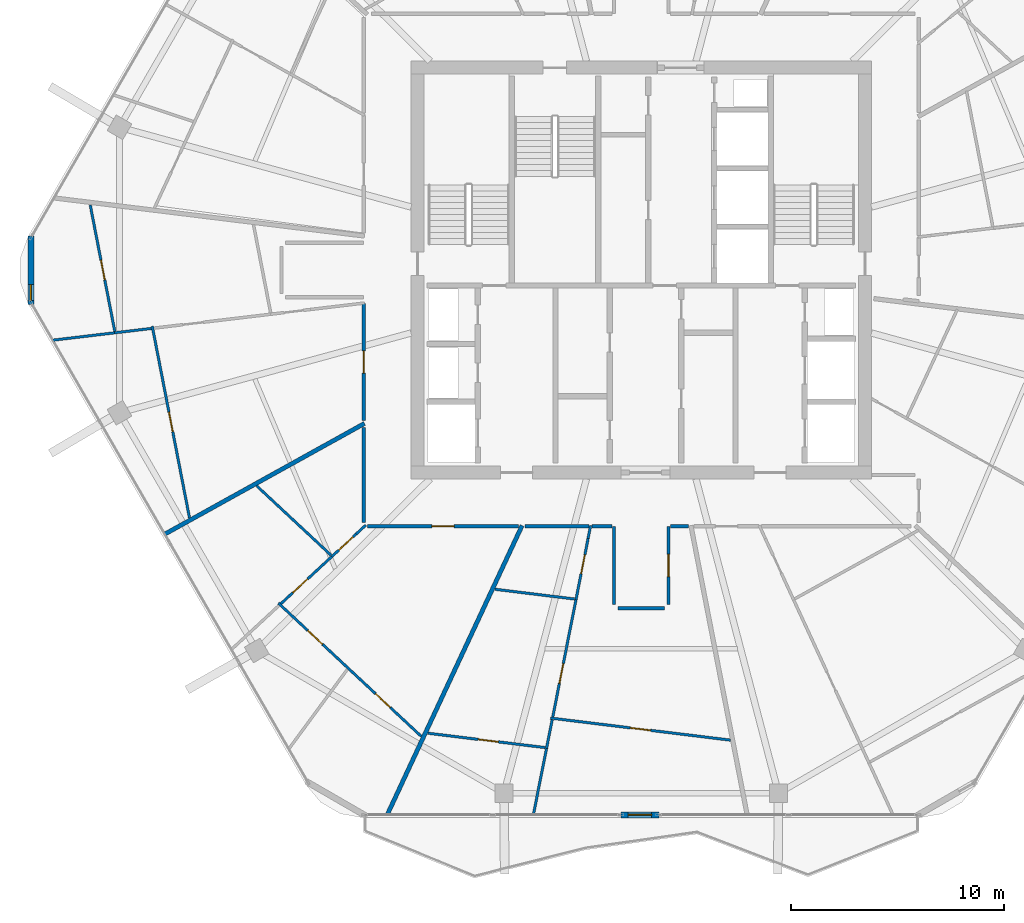
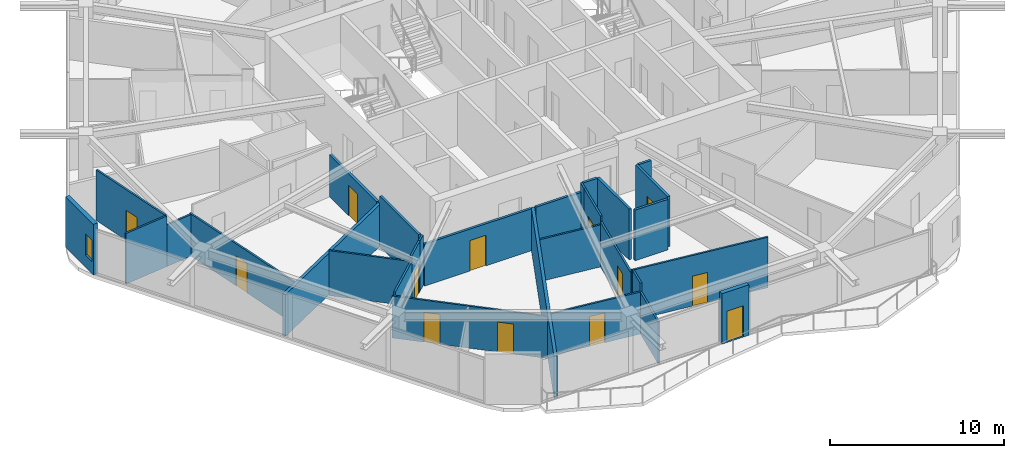
# One storey, part 19 of 27: 30 walls, 14 doors, 1 window, 15 openings.
"""IFC4 building model written with IfcOpenShell, lengths in metres."""

from ifc_helpers import new_model, si_unit, direction, frame, frame_2d, origin, place, context, subcontext, project, spatial, rectangle, extrude, material, layer, layer_set, type_object, element, fill, save


model = new_model("IFC4")

# Units and contexts
model_context = context("Model", 3, precision=1e-05, world=origin(), true_north=direction((0.0, 1.0)))
body_context = subcontext(model_context, "Body", "Model", "MODEL_VIEW")
ifc_project = project(units=[si_unit("LENGTHUNIT", "METRE"), si_unit("AREAUNIT", "SQUARE_METRE"), si_unit("VOLUMEUNIT", "CUBIC_METRE"), si_unit("PLANEANGLEUNIT", "RADIAN"), si_unit("MASSUNIT", "GRAM", prefix="KILO")], contexts=[model_context])

# Site, building, storey
site_placement = place(None, origin())
site = spatial("IfcSite", under=ifc_project, at=site_placement, CompositionType="ELEMENT")
building_placement = place(site_placement, origin())
building = spatial("IfcBuilding", under=site, at=building_placement, Name="Zuhravey Tower", CompositionType="ELEMENT")
storey_placement = place(building_placement, frame((0.0, 0.0, 265.39990234375)))
storey = spatial("IfcBuildingStorey", under=building, at=storey_placement, Name="L67", CompositionType="ELEMENT", Elevation=265.39990234375)

# Wall, opening, door
ifc_material_1 = material(Name="Gypsum fire-rated stud partition")
ifc_layer_1 = layer(ifc_material_1, 0.159912109375)
ifc_layer_set_1 = layer_set([ifc_layer_1], Name="Gypsum fire-rated stud partition")
wall_type_1 = type_object("IfcWallType", Name="Corridor Fire Partition 160", PredefinedType="PARTITIONING", material=ifc_layer_set_1)
wall_1_placement = place(storey_placement, frame((22.969970703125, 30.426025390625, 0.0), z_axis=(0.0, 0.0, 1.0), x_axis=(0.0, -1.0, 0.0)))
wall_1 = element("IfcWall", 1, at=wall_1_placement, inside=storey, type_object=wall_type_1, Name="L67 IW16 Partition 031", PredefinedType="PARTITIONING", context=body_context, shape_type="SweptSolid", body=[
    extrude(rectangle(XDim=5.47802734375, YDim=0.159912109375, at=frame_2d((2.739013671875, 0.0))), origin(), (0.0, 0.0, 1.0), 2.9501953125),
])
opening_1_placement = place(wall_1_placement, frame((2.214111328125, 0.0, 0.0)))
opening_1 = element("IfcOpeningElement", 2, at=opening_1_placement, cuts=wall_1, Name="Opening APD1", PredefinedType="OPENING", context=body_context, shape_type="SweptSolid", body=[
    extrude(rectangle(XDim=1.050048828125, YDim=2.14990234375, at=frame_2d((0.52490234375, 1.074951171875))), frame((0.0, 0.092041015625, 0.0), z_axis=(0.0, -1.0, 0.0), x_axis=(1.0, 0.0, 0.0)), (0.0, 0.0, 1.0), 0.183837890625),
])
ifc_material_2 = material(Name="Solid-core oak fire-rated leaf")
door_type_1 = type_object("IfcDoorType", Name="Apartment Entrance Fire Door 1050x2150", OperationType="NOTDEFINED", PredefinedType="DOOR", material=ifc_material_2)
door_1_placement = place(opening_1_placement, frame((1.050048828125, 0.0, 0.0), z_axis=(0.0, 0.0, 1.0), x_axis=(-1.0, 0.0, 0.0)))
door_1 = element("IfcDoor", 3, at=door_1_placement, inside=storey, type_object=door_type_1, Name="L67 Door 031.1", OperationType="SINGLE_SWING_LEFT", OverallHeight=2.14990234375, OverallWidth=1.050048828125, PredefinedType="DOOR", context=body_context, shape_type="SweptSolid", body=[
    extrude(rectangle(XDim=1.050048828125, YDim=2.14990234375, at=frame_2d((0.52490234375, 1.074951171875))), frame((0.0, 0.02490234375, 0.0), z_axis=(0.0, -1.0, 0.0), x_axis=(1.0, 0.0, 0.0)), (0.0, 0.0, 1.0), 0.050048828125),
])
fill(opening_1, door_1)

wall_2_placement = place(storey_placement, frame((23.14990234375, 19.969970703125, 0.0), z_axis=(0.0, 0.0, 1.0), x_axis=(1.0, 0.0, 0.0)))
wall_2 = element("IfcWall", 4, at=wall_2_placement, inside=storey, type_object=wall_type_1, Name="L67 IW16 Partition 036", PredefinedType="PARTITIONING", context=body_context, shape_type="SweptSolid", body=[
    extrude(rectangle(XDim=7.08984375, YDim=0.159912109375, at=frame_2d((3.544921875, 0.0))), origin(), (0.0, 0.0, 1.0), 2.9501953125),
])
opening_2_placement = place(wall_2_placement, frame((3.02001953125, 0.0, 0.0)))
opening_2 = element("IfcOpeningElement", 5, at=opening_2_placement, cuts=wall_2, Name="Opening APD1", PredefinedType="OPENING", context=body_context, shape_type="SweptSolid", body=[
    extrude(rectangle(XDim=1.050048828125, YDim=2.14990234375, at=frame_2d((0.52490234375, 1.074951171875))), frame((0.0, 0.092041015625, 0.0), z_axis=(0.0, -1.0, 0.0), x_axis=(1.0, 0.0, 0.0)), (0.0, 0.0, 1.0), 0.183837890625),
])
door_2_placement = place(opening_2_placement, frame((1.050048828125, 0.0, 0.0), z_axis=(0.0, 0.0, 1.0), x_axis=(-1.0, 0.0, 0.0)))
door_2 = element("IfcDoor", 6, at=door_2_placement, inside=storey, type_object=door_type_1, Name="L67 Door 036.1", OperationType="SINGLE_SWING_RIGHT", OverallHeight=2.14990234375, OverallWidth=1.050048828125, PredefinedType="DOOR", context=body_context, shape_type="SweptSolid", body=[
    extrude(rectangle(XDim=1.050048828125, YDim=2.14990234375, at=frame_2d((0.52490234375, 1.074951171875))), frame((0.0, 0.02490234375, 0.0), z_axis=(0.0, -1.0, 0.0), x_axis=(1.0, 0.0, 0.0)), (0.0, 0.0, 1.0), 0.050048828125),
])
fill(opening_2, door_2)

wall_3_placement = place(storey_placement, frame((37.280029296875, 16.300048828125, 0.0), z_axis=(0.0, 0.0, 1.0), x_axis=(0.0, 1.0, 0.0)))
wall_3 = element("IfcWall", 7, at=wall_3_placement, inside=storey, type_object=wall_type_1, Name="L67 IW16 Partition 042", PredefinedType="PARTITIONING", context=body_context, shape_type="SweptSolid", body=[
    extrude(rectangle(XDim=3.669921875, YDim=0.159912109375, at=frame_2d((1.8349609375, 0.0))), origin(), (0.0, 0.0, 1.0), 3.550048828125),
])
opening_3_placement = place(wall_3_placement, frame((1.31005859375, 0.0, 0.0)))
opening_3 = element("IfcOpeningElement", 8, at=opening_3_placement, cuts=wall_3, Name="Opening APD1", PredefinedType="OPENING", context=body_context, shape_type="SweptSolid", body=[
    extrude(rectangle(XDim=1.050048828125, YDim=2.14990234375, at=frame_2d((0.52490234375, 1.074951171875))), frame((0.0, 0.092041015625, 0.0), z_axis=(0.0, -1.0, 0.0), x_axis=(1.0, 0.0, 0.0)), (0.0, 0.0, 1.0), 0.183837890625),
])
door_3_placement = place(opening_3_placement, origin())
door_3 = element("IfcDoor", 9, at=door_3_placement, inside=storey, type_object=door_type_1, Name="L67 Door 042.1", OperationType="SINGLE_SWING_LEFT", OverallHeight=2.14990234375, OverallWidth=1.050048828125, PredefinedType="DOOR", context=body_context, shape_type="SweptSolid", body=[
    extrude(rectangle(XDim=1.050048828125, YDim=2.14990234375, at=frame_2d((0.52490234375, 1.074951171875))), frame((0.0, 0.02490234375, 0.0), z_axis=(0.0, -1.0, 0.0), x_axis=(1.0, 0.0, 0.0)), (0.0, 0.0, 1.0), 0.050048828125),
])
fill(opening_3, door_3)

# Walls
wall_4_placement = place(storey_placement, frame((22.969970703125, 24.60498046875, 0.0), z_axis=(0.0, 0.0, 1.0), x_axis=(0.0, -1.0, 0.0)))
element("IfcWall", 10, at=wall_4_placement, inside=storey, type_object=wall_type_1, Name="L67 IW16 Partition 117", PredefinedType="PARTITIONING", context=body_context, shape_type="SweptSolid", body=[
    extrude(rectangle(XDim=4.455078125, YDim=0.159912109375, at=frame_2d((2.2275390625, 0.0))), origin(), (0.0, 0.0, 1.0), 3.550048828125),
])
wall_5_placement = place(storey_placement, frame((34.719970703125, 19.969970703125, 0.0), z_axis=(0.0, 0.0, 1.0), x_axis=(0.0, -1.0, 0.0)))
element("IfcWall", 11, at=wall_5_placement, inside=storey, type_object=wall_type_1, Name="L67 IW16 Partition 118", PredefinedType="PARTITIONING", context=body_context, shape_type="SweptSolid", body=[
    extrude(rectangle(XDim=3.669921875, YDim=0.159912109375, at=frame_2d((1.8349609375, 0.0))), origin(), (0.0, 0.0, 1.0), 3.550048828125),
])
wall_6_placement = place(storey_placement, frame((34.89990234375, 16.1201171875, 0.0), z_axis=(0.0, 0.0, 1.0), x_axis=(1.0, 0.0, 0.0)))
element("IfcWall", 12, at=wall_6_placement, inside=storey, type_object=wall_type_1, Name="L67 IW16 Partition 119", PredefinedType="PARTITIONING", context=body_context, shape_type="SweptSolid", body=[
    extrude(rectangle(XDim=2.2001953125, YDim=0.159912109375, at=frame_2d((1.10009765625, 0.0))), origin(), (0.0, 0.0, 1.0), 3.550048828125),
])
wall_7_placement = place(storey_placement, frame((33.687255859375, 19.969970703125, 0.0), z_axis=(0.0, 0.0, 1.0), x_axis=(1.0, 0.0, 0.0)))
element("IfcWall", 13, at=wall_7_placement, inside=storey, type_object=wall_type_1, Name="L67 IW16 Partition 120", PredefinedType="PARTITIONING", context=body_context, shape_type="SweptSolid", body=[
    extrude(rectangle(XDim=0.94482421875, YDim=0.159912109375, at=frame_2d((0.472412109375, 0.0))), origin(), (0.0, 0.0, 1.0), 3.550048828125),
])
wall_8_placement = place(storey_placement, frame((37.367919921875, 19.969970703125, 0.0), z_axis=(0.0, 0.0, 1.0), x_axis=(1.0, 0.0, 0.0)))
element("IfcWall", 14, at=wall_8_placement, inside=storey, type_object=wall_type_1, Name="L67 IW16 Partition 121", PredefinedType="PARTITIONING", context=body_context, shape_type="SweptSolid", body=[
    extrude(rectangle(XDim=0.84130859375, YDim=0.159912109375, at=frame_2d((0.420654296875, 0.0))), origin(), (0.0, 0.0, 1.0), 3.550048828125),
])
wall_9_placement = place(storey_placement, frame((30.53955078125, 19.969970703125, 0.0), z_axis=(0.0, 0.0, 1.0), x_axis=(1.0, 0.0, 0.0)))
element("IfcWall", 15, at=wall_9_placement, inside=storey, type_object=wall_type_1, Name="L67 IW16 Partition 122", PredefinedType="PARTITIONING", context=body_context, shape_type="SweptSolid", body=[
    extrude(rectangle(XDim=3.009033203125, YDim=0.159912109375, at=frame_2d((1.50439453125, 0.0))), origin(), (0.0, 0.0, 1.0), 2.9501953125),
])

# Wall, opening, door
ifc_material_3 = material(Name="Precast concrete C40/50", Category="concrete")
ifc_layer_2 = layer(ifc_material_3, 0.280029296875)
ifc_layer_set_2 = layer_set([ifc_layer_2], Name="Precast concrete C40/50")
wall_type_2 = type_object("IfcWallType", Name="Crown Architectural Wall 280", PredefinedType="SOLIDWALL", material=ifc_layer_set_2)
wall_10_placement = place(storey_placement, frame((36.82861328125, 6.436279296875, 0.0), z_axis=(0.0, 0.0, 1.0), x_axis=(-1.0, 0.0, 0.0)))
wall_10 = element("IfcWall", 16, at=wall_10_placement, inside=storey, type_object=wall_type_2, Name="L67 Face 5 Facade Pier EW28-1", PredefinedType="SOLIDWALL", context=body_context, shape_type="SweptSolid", body=[
    extrude(rectangle(XDim=1.7900390625, YDim=0.280029296875, at=frame_2d((0.89501953125, 0.0))), origin(), (0.0, 0.0, 1.0), 3.550048828125),
])
opening_4_placement = place(wall_10_placement, frame((0.344970703125, 0.0, 0.0)))
opening_4 = element("IfcOpeningElement", 17, at=opening_4_placement, cuts=wall_10, Name="Opening BLD1", PredefinedType="OPENING", context=body_context, shape_type="SweptSolid", body=[
    extrude(rectangle(XDim=1.10009765625, YDim=2.199951171875, at=frame_2d((0.550048828125, 1.10009765625))), frame((0.0, 0.152099609375, 0.0), z_axis=(0.0, -1.0, 0.0), x_axis=(1.0, 0.0, 0.0)), (0.0, 0.0, 1.0), 0.303955078125),
])
ifc_material_4 = material(Name="Thermally broken aluminium and low-E glass", Category="aluminium")
door_type_2 = type_object("IfcDoorType", Name="Balcony & Sky-Tray Glazed Door 1100x2200", OperationType="NOTDEFINED", PredefinedType="DOOR", material=ifc_material_4)
door_4_placement = place(opening_4_placement, frame((1.10009765625, 0.0, 0.0), z_axis=(0.0, 0.0, 1.0), x_axis=(-1.0, 0.0, 0.0)))
door_4 = element("IfcDoor", 18, at=door_4_placement, inside=storey, type_object=door_type_2, Name="L67 Face 5 Wave Balcony Door", OperationType="SINGLE_SWING_LEFT", OverallHeight=2.199951171875, OverallWidth=1.10009765625, PredefinedType="DOOR", context=body_context, shape_type="SweptSolid", body=[
    extrude(rectangle(XDim=1.10009765625, YDim=2.199951171875, at=frame_2d((0.550048828125, 1.10009765625))), frame((0.0, 0.02490234375, 0.0), z_axis=(0.0, -1.0, 0.0), x_axis=(1.0, 0.0, 0.0)), (0.0, 0.0, 1.0), 0.050048828125),
])
fill(opening_4, door_4)

# Wall, opening, window
wall_11_placement = place(storey_placement, frame((7.35498046875, 30.392578125, 0.0), z_axis=(0.0, 0.0, 1.0), x_axis=(0.0, 1.0, 0.0)))
wall_11 = element("IfcWall", 19, at=wall_11_placement, inside=storey, type_object=wall_type_2, Name="L67 Rounded Corner Closure Wall EW28-06", PredefinedType="SOLIDWALL", context=body_context, shape_type="SweptSolid", body=[
    extrude(rectangle(XDim=3.21484375, YDim=0.280029296875, at=frame_2d((1.607421875, 0.0))), origin(), (0.0, 0.0, 1.0), 3.550048828125),
])
opening_5_placement = place(wall_11_placement, frame((0.17578125, 0.0, 0.85009765625)))
opening_5 = element("IfcOpeningElement", 20, at=opening_5_placement, cuts=wall_11, Name="Opening WN5", PredefinedType="OPENING", context=body_context, shape_type="SweptSolid", body=[
    extrude(rectangle(XDim=0.75, YDim=1.5, at=frame_2d((0.375, 0.75))), frame((0.0, 0.152099609375, 0.0), z_axis=(0.0, -1.0, 0.0), x_axis=(1.0, 0.0, 0.0)), (0.0, 0.0, 1.0), 0.303955078125),
])
ifc_material_5 = material(Name="Thermally broken aluminium and triple low-E glass", Category="aluminium")
window_type = type_object("IfcWindowType", Name="Residential Corner Casement Window 750x1500", PartitioningType="SINGLE_PANEL", PredefinedType="WINDOW", material=ifc_material_5)
window_placement = place(opening_5_placement, origin())
window = element("IfcWindow", 21, at=window_placement, inside=storey, type_object=window_type, Name="L67 Corner Casement Window WN5-06.1", OverallHeight=1.5, OverallWidth=0.75, PartitioningType="SINGLE_PANEL", PredefinedType="WINDOW", context=body_context, shape_type="SweptSolid", body=[
    extrude(rectangle(XDim=0.75, YDim=1.5, at=frame_2d((0.375, 0.75))), frame((0.0, 0.030029296875, 0.0), z_axis=(0.0, -1.0, 0.0), x_axis=(1.0, 0.0, 0.0)), (0.0, 0.0, 1.0), 0.06005859375),
])
fill(opening_5, window)

# Walls
ifc_material_6 = material(Name="Gypsum double-stud party assembly")
ifc_layer_3 = layer(ifc_material_6, 0.199951171875)
ifc_layer_set_3 = layer_set([ifc_layer_3], Name="Gypsum double-stud party assembly")
wall_type_3 = type_object("IfcWallType", Name="Inter-Tenancy Party Wall 200", PredefinedType="PARTITIONING", material=ifc_layer_set_3)
wall_12_placement = place(storey_placement, frame((23.010009765625, 24.799560546875, 0.0), z_axis=(0.0, 0.0, 1.0), x_axis=(-0.874612572959, -0.484822490426, 0.0)))
element("IfcWall", 22, at=wall_12_placement, inside=storey, type_object=wall_type_3, Name="L67 IW20 Partition 082", PredefinedType="PARTITIONING", context=body_context, shape_type="SweptSolid", body=[
    extrude(rectangle(XDim=10.71533203125, YDim=0.199951171875, at=frame_2d((5.357666015625, 0.0))), origin(), (0.0, 0.0, 1.0), 2.93017578125),
])
wall_13_placement = place(storey_placement, frame((30.408935546875, 20.010009765625, 0.0), z_axis=(0.0, 0.0, 1.0), x_axis=(-0.422607909104, -0.906312614479, 0.0)))
element("IfcWall", 23, at=wall_13_placement, inside=storey, type_object=wall_type_3, Name="L67 IW20 Partition 086", PredefinedType="PARTITIONING", context=body_context, shape_type="SweptSolid", body=[
    extrude(rectangle(XDim=14.976806640625, YDim=0.199951171875, at=frame_2d((7.48828125, 0.0))), origin(), (0.0, 0.0, 1.0), 2.93017578125),
])

# Wall, opening, door
ifc_material_7 = material(Name="Gypsum metal-stud partition")
ifc_layer_4 = layer(ifc_material_7, 0.1201171875)
ifc_layer_set_4 = layer_set([ifc_layer_4], Name="Gypsum metal-stud partition")
wall_type_4 = type_object("IfcWallType", Name="Unit Internal Partition 120", PredefinedType="PARTITIONING", material=ifc_layer_set_4)
wall_14_placement = place(storey_placement, frame((13.052734375, 29.364501953125, 0.0), z_axis=(0.0, 0.0, 1.0), x_axis=(0.190811857209, -0.981626627159, 0.0)))
wall_14 = element("IfcWall", 24, at=wall_14_placement, inside=storey, type_object=wall_type_4, Name="L67 IW12 Partition 026", PredefinedType="PARTITIONING", context=body_context, shape_type="SweptSolid", body=[
    extrude(rectangle(XDim=9.1572265625, YDim=0.1201171875, at=frame_2d((4.57861328125, 0.0))), origin(), (0.0, 0.0, 1.0), 2.9501953125),
])
opening_6_placement = place(wall_14_placement, frame((4.103515625, 0.0, 0.0)))
opening_6 = element("IfcOpeningElement", 25, at=opening_6_placement, cuts=wall_14, Name="Opening IND1", PredefinedType="OPENING", context=body_context, shape_type="SweptSolid", body=[
    extrude(rectangle(XDim=0.949951171875, YDim=2.10009765625, at=frame_2d((0.47509765625, 1.050048828125))), frame((0.0, 0.072021484375, 0.0), z_axis=(0.0, -1.0, 0.0), x_axis=(1.0, 0.0, 0.0)), (0.0, 0.0, 1.0), 0.14404296875),
])
ifc_material_8 = material(Name="Painted engineered timber leaf", Category="wood")
door_type_3 = type_object("IfcDoorType", Name="Internal Room & Bedroom Door 950x2100", OperationType="NOTDEFINED", PredefinedType="DOOR", material=ifc_material_8)
door_5_placement = place(opening_6_placement, frame((0.949951171875, 0.0, 0.0), z_axis=(0.0, 0.0, 1.0), x_axis=(-1.0, 0.0, 0.0)))
door_5 = element("IfcDoor", 26, at=door_5_placement, inside=storey, type_object=door_type_3, Name="Apartment L67-02 Family Study Door", OperationType="SINGLE_SWING_LEFT", OverallHeight=2.10009765625, OverallWidth=0.949951171875, PredefinedType="DOOR", context=body_context, shape_type="SweptSolid", body=[
    extrude(rectangle(XDim=0.949951171875, YDim=2.10009765625, at=frame_2d((0.47509765625, 1.050048828125))), frame((0.0, 0.02490234375, 0.0), z_axis=(0.0, -1.0, 0.0), x_axis=(1.0, 0.0, 0.0)), (0.0, 0.0, 1.0), 0.050048828125),
])
fill(opening_6, door_5)

# Wall
wall_15_placement = place(storey_placement, frame((13.004150390625, 29.2578125, 0.0), z_axis=(0.0, 0.0, 1.0), x_axis=(-0.992978430898, -0.118295544172, 0.0)))
element("IfcWall", 27, at=wall_15_placement, inside=storey, type_object=wall_type_4, Name="L67 IW12 Partition 029", PredefinedType="PARTITIONING", context=body_context, shape_type="SweptSolid", body=[
    extrude(rectangle(XDim=1.733642578125, YDim=0.1201171875, at=frame_2d((0.86669921875, 0.0))), origin(), (0.0, 0.0, 1.0), 2.93017578125),
])

# Wall, opening, door
wall_16_placement = place(storey_placement, frame((10.143310546875, 35.046630859375, 0.0), z_axis=(0.0, 0.0, 1.0), x_axis=(0.190784117101, -0.981632018967, 0.0)))
wall_16 = element("IfcWall", 28, at=wall_16_placement, inside=storey, type_object=wall_type_4, Name="L67 IW12 Partition 030", PredefinedType="PARTITIONING", context=body_context, shape_type="SweptSolid", body=[
    extrude(rectangle(XDim=6.034912109375, YDim=0.1201171875, at=frame_2d((3.017578125, 0.0))), origin(), (0.0, 0.0, 1.0), 3.550048828125),
])
opening_7_placement = place(wall_16_placement, frame((2.626708984375, 0.0, 0.0)))
opening_7 = element("IfcOpeningElement", 29, at=opening_7_placement, cuts=wall_16, Name="Opening IND1", PredefinedType="OPENING", context=body_context, shape_type="SweptSolid", body=[
    extrude(rectangle(XDim=0.949951171875, YDim=2.10009765625, at=frame_2d((0.47509765625, 1.050048828125))), frame((0.0, 0.072021484375, 0.0), z_axis=(0.0, -1.0, 0.0), x_axis=(1.0, 0.0, 0.0)), (0.0, 0.0, 1.0), 0.14404296875),
])
door_6_placement = place(opening_7_placement, frame((0.949951171875, 0.0, 0.0), z_axis=(0.0, 0.0, 1.0), x_axis=(-1.0, 0.0, 0.0)))
door_6 = element("IfcDoor", 30, at=door_6_placement, inside=storey, type_object=door_type_3, Name="Apartment L67-02 Bedroom 1 Door", OperationType="SINGLE_SWING_RIGHT", OverallHeight=2.10009765625, OverallWidth=0.949951171875, PredefinedType="DOOR", context=body_context, shape_type="SweptSolid", body=[
    extrude(rectangle(XDim=0.949951171875, YDim=2.10009765625, at=frame_2d((0.47509765625, 1.050048828125))), frame((0.0, 0.02490234375, 0.0), z_axis=(0.0, -1.0, 0.0), x_axis=(1.0, 0.0, 0.0)), (0.0, 0.0, 1.0), 0.050048828125),
])
fill(opening_7, door_6)

# Wall, openings, doors
wall_17_placement = place(storey_placement, frame((18.97216796875, 16.368408203125, 0.0), z_axis=(0.0, 0.0, 1.0), x_axis=(0.731359968951, -0.68199163911, 0.0)))
wall_17 = element("IfcWall", 31, at=wall_17_placement, inside=storey, type_object=wall_type_4, Name="L67 IW12 Partition 032", PredefinedType="PARTITIONING", context=body_context, shape_type="SweptSolid", body=[
    extrude(rectangle(XDim=9.16357421875, YDim=0.1201171875, at=frame_2d((4.581787109375, 0.0))), origin(), (0.0, 0.0, 1.0), 2.9501953125),
])
opening_8_placement = place(wall_17_placement, frame((1.885498046875, 0.0, 0.0)))
opening_8 = element("IfcOpeningElement", 32, at=opening_8_placement, cuts=wall_17, Name="Opening IND1", PredefinedType="OPENING", context=body_context, shape_type="SweptSolid", body=[
    extrude(rectangle(XDim=0.949951171875, YDim=2.10009765625, at=frame_2d((0.47509765625, 1.050048828125))), frame((0.0, 0.072021484375, 0.0), z_axis=(0.0, -1.0, 0.0), x_axis=(1.0, 0.0, 0.0)), (0.0, 0.0, 1.0), 0.14404296875),
])
opening_9_placement = place(wall_17_placement, frame((6.2265625, 0.0, 0.0)))
opening_9 = element("IfcOpeningElement", 33, at=opening_9_placement, cuts=wall_17, Name="Opening IND1", PredefinedType="OPENING", context=body_context, shape_type="SweptSolid", body=[
    extrude(rectangle(XDim=0.949951171875, YDim=2.10009765625, at=frame_2d((0.47509765625, 1.050048828125))), frame((0.0, 0.072021484375, 0.0), z_axis=(0.0, -1.0, 0.0), x_axis=(1.0, 0.0, 0.0)), (0.0, 0.0, 1.0), 0.14404296875),
])
door_7_placement = place(opening_8_placement, frame((0.949951171875, 0.0, 0.0), z_axis=(0.0, 0.0, 1.0), x_axis=(-1.0, 0.0, 0.0)))
door_7 = element("IfcDoor", 34, at=door_7_placement, inside=storey, type_object=door_type_3, Name="Apartment L67-03 Family Study Door", OperationType="SINGLE_SWING_RIGHT", OverallHeight=2.10009765625, OverallWidth=0.949951171875, PredefinedType="DOOR", context=body_context, shape_type="SweptSolid", body=[
    extrude(rectangle(XDim=0.949951171875, YDim=2.10009765625, at=frame_2d((0.47509765625, 1.050048828125))), frame((0.0, 0.02490234375, 0.0), z_axis=(0.0, -1.0, 0.0), x_axis=(1.0, 0.0, 0.0)), (0.0, 0.0, 1.0), 0.050048828125),
])
fill(opening_8, door_7)
door_8_placement = place(opening_9_placement, frame((0.949951171875, 0.0, 0.0), z_axis=(0.0, 0.0, 1.0), x_axis=(-1.0, 0.0, 0.0)))
door_8 = element("IfcDoor", 35, at=door_8_placement, inside=storey, type_object=door_type_3, Name="Apartment L67-03 Dining Room Door", OperationType="SINGLE_SWING_LEFT", OverallHeight=2.10009765625, OverallWidth=0.949951171875, PredefinedType="DOOR", context=body_context, shape_type="SweptSolid", body=[
    extrude(rectangle(XDim=0.949951171875, YDim=2.10009765625, at=frame_2d((0.47509765625, 1.050048828125))), frame((0.0, 0.02490234375, 0.0), z_axis=(0.0, -1.0, 0.0), x_axis=(1.0, 0.0, 0.0)), (0.0, 0.0, 1.0), 0.050048828125),
])
fill(opening_9, door_8)

# Wall, opening, door
wall_18_placement = place(storey_placement, frame((22.625, 19.61474609375, 0.0), z_axis=(0.0, 0.0, 1.0), x_axis=(-0.733731867306, -0.679439141424, 0.0)))
wall_18 = element("IfcWall", 36, at=wall_18_placement, inside=storey, type_object=wall_type_4, Name="L67 IW12 Partition 033", PredefinedType="PARTITIONING", context=body_context, shape_type="SweptSolid", body=[
    extrude(rectangle(XDim=1.56494140625, YDim=0.1201171875, at=frame_2d((0.782470703125, 0.0))), origin(), (0.0, 0.0, 1.0), 3.550048828125),
])
opening_10_placement = place(wall_18_placement, frame((0.207275390625, 0.0, 0.0)))
opening_10 = element("IfcOpeningElement", 37, at=opening_10_placement, cuts=wall_18, Name="Opening WCD1", PredefinedType="OPENING", context=body_context, shape_type="SweptSolid", body=[
    extrude(rectangle(XDim=0.89990234375, YDim=2.10009765625, at=frame_2d((0.449951171875, 1.050048828125))), frame((0.0, 0.072021484375, 0.0), z_axis=(0.0, -1.0, 0.0), x_axis=(1.0, 0.0, 0.0)), (0.0, 0.0, 1.0), 0.14404296875),
])
ifc_material_9 = material(Name="Moisture-resistant timber leaf", Category="wood")
door_type_4 = type_object("IfcDoorType", Name="Bathroom & WC Internal Door 900x2100", OperationType="NOTDEFINED", PredefinedType="DOOR", material=ifc_material_9)
door_9_placement = place(opening_10_placement, frame((0.89990234375, 0.0, 0.0), z_axis=(0.0, 0.0, 1.0), x_axis=(-1.0, 0.0, 0.0)))
door_9 = element("IfcDoor", 38, at=door_9_placement, inside=storey, type_object=door_type_4, Name="Apartment L67-03 Bathroom Door", OperationType="SINGLE_SWING_RIGHT", OverallHeight=2.10009765625, OverallWidth=0.89990234375, PredefinedType="DOOR", context=body_context, shape_type="SweptSolid", body=[
    extrude(rectangle(XDim=0.89990234375, YDim=2.10009765625, at=frame_2d((0.449951171875, 1.050048828125))), frame((0.0, 0.02490234375, 0.0), z_axis=(0.0, -1.0, 0.0), x_axis=(1.0, 0.0, 0.0)), (0.0, 0.0, 1.0), 0.050048828125),
])
fill(opening_10, door_9)

wall_19_placement = place(storey_placement, frame((21.476806640625, 18.551513671875, 0.0), z_axis=(0.0, 0.0, 1.0), x_axis=(-0.733668997341, -0.679507028912, 0.0)))
wall_19 = element("IfcWall", 39, at=wall_19_placement, inside=storey, type_object=wall_type_4, Name="L67 IW12 Partition 034", PredefinedType="PARTITIONING", context=body_context, shape_type="SweptSolid", body=[
    extrude(rectangle(XDim=3.245361328125, YDim=0.1201171875, at=frame_2d((1.62255859375, 0.0))), origin(), (0.0, 0.0, 1.0), 3.150146484375),
])
opening_11_placement = place(wall_19_placement, frame((1.54736328125, 0.0, 0.0)))
opening_11 = element("IfcOpeningElement", 40, at=opening_11_placement, cuts=wall_19, Name="Opening IND1", PredefinedType="OPENING", context=body_context, shape_type="SweptSolid", body=[
    extrude(rectangle(XDim=0.949951171875, YDim=2.10009765625, at=frame_2d((0.47509765625, 1.050048828125))), frame((0.0, 0.072021484375, 0.0), z_axis=(0.0, -1.0, 0.0), x_axis=(1.0, 0.0, 0.0)), (0.0, 0.0, 1.0), 0.14404296875),
])
door_10_placement = place(opening_11_placement, frame((0.949951171875, 0.0, 0.0), z_axis=(0.0, 0.0, 1.0), x_axis=(-1.0, 0.0, 0.0)))
door_10 = element("IfcDoor", 41, at=door_10_placement, inside=storey, type_object=door_type_3, Name="Apartment L67-03 Bedroom 1 Door", OperationType="SINGLE_SWING_LEFT", OverallHeight=2.10009765625, OverallWidth=0.949951171875, PredefinedType="DOOR", context=body_context, shape_type="SweptSolid", body=[
    extrude(rectangle(XDim=0.949951171875, YDim=2.10009765625, at=frame_2d((0.47509765625, 1.050048828125))), frame((0.0, 0.02490234375, 0.0), z_axis=(0.0, -1.0, 0.0), x_axis=(1.0, 0.0, 0.0)), (0.0, 0.0, 1.0), 0.050048828125),
])
fill(opening_11, door_10)

wall_20_placement = place(storey_placement, frame((31.735107421875, 10.97607421875, 0.0), z_axis=(0.0, 0.0, 1.0), x_axis=(0.992544489296, -0.121882881359, 0.0)))
wall_20 = element("IfcWall", 42, at=wall_20_placement, inside=storey, type_object=wall_type_4, Name="L67 IW12 Partition 037", PredefinedType="PARTITIONING", context=body_context, shape_type="SweptSolid", body=[
    extrude(rectangle(XDim=8.51904296875, YDim=0.1201171875, at=frame_2d((4.259521484375, 0.0))), origin(), (0.0, 0.0, 1.0), 3.550048828125),
])
opening_12_placement = place(wall_20_placement, frame((3.784423828125, 0.0, 0.0)))
opening_12 = element("IfcOpeningElement", 43, at=opening_12_placement, cuts=wall_20, Name="Opening IND1", PredefinedType="OPENING", context=body_context, shape_type="SweptSolid", body=[
    extrude(rectangle(XDim=0.949951171875, YDim=2.10009765625, at=frame_2d((0.47509765625, 1.050048828125))), frame((0.0, 0.072021484375, 0.0), z_axis=(0.0, -1.0, 0.0), x_axis=(1.0, 0.0, 0.0)), (0.0, 0.0, 1.0), 0.14404296875),
])
door_11_placement = place(opening_12_placement, frame((0.949951171875, 0.0, 0.0), z_axis=(0.0, 0.0, 1.0), x_axis=(-1.0, 0.0, 0.0)))
door_11 = element("IfcDoor", 44, at=door_11_placement, inside=storey, type_object=door_type_3, Name="Apartment L67-04 Family Study Door", OperationType="SINGLE_SWING_LEFT", OverallHeight=2.10009765625, OverallWidth=0.949951171875, PredefinedType="DOOR", context=body_context, shape_type="SweptSolid", body=[
    extrude(rectangle(XDim=0.949951171875, YDim=2.10009765625, at=frame_2d((0.47509765625, 1.050048828125))), frame((0.0, 0.02490234375, 0.0), z_axis=(0.0, -1.0, 0.0), x_axis=(1.0, 0.0, 0.0)), (0.0, 0.0, 1.0), 0.050048828125),
])
fill(opening_12, door_11)

wall_21_placement = place(storey_placement, frame((33.505126953125, 19.39990234375, 0.0), z_axis=(0.0, 0.0, 1.0), x_axis=(-0.194223379767, -0.980957327692, 0.0)))
wall_21 = element("IfcWall", 45, at=wall_21_placement, inside=storey, type_object=wall_type_4, Name="L67 IW12 Partition 038", PredefinedType="PARTITIONING", context=body_context, shape_type="SweptSolid", body=[
    extrude(rectangle(XDim=2.927490234375, YDim=0.1201171875, at=frame_2d((1.4638671875, 0.0))), origin(), (0.0, 0.0, 1.0), 3.550048828125),
])
opening_13_placement = place(wall_21_placement, frame((0.77978515625, 0.0, 0.0)))
opening_13 = element("IfcOpeningElement", 46, at=opening_13_placement, cuts=wall_21, Name="Opening WCD1", PredefinedType="OPENING", context=body_context, shape_type="SweptSolid", body=[
    extrude(rectangle(XDim=0.89990234375, YDim=2.10009765625, at=frame_2d((0.449951171875, 1.050048828125))), frame((0.0, 0.072021484375, 0.0), z_axis=(0.0, -1.0, 0.0), x_axis=(1.0, 0.0, 0.0)), (0.0, 0.0, 1.0), 0.14404296875),
])
door_12_placement = place(opening_13_placement, frame((0.89990234375, 0.0, 0.0), z_axis=(0.0, 0.0, 1.0), x_axis=(-1.0, 0.0, 0.0)))
door_12 = element("IfcDoor", 47, at=door_12_placement, inside=storey, type_object=door_type_4, Name="Apartment L67-04 Bathroom Door", OperationType="SINGLE_SWING_RIGHT", OverallHeight=2.10009765625, OverallWidth=0.89990234375, PredefinedType="DOOR", context=body_context, shape_type="SweptSolid", body=[
    extrude(rectangle(XDim=0.89990234375, YDim=2.10009765625, at=frame_2d((0.449951171875, 1.050048828125))), frame((0.0, 0.02490234375, 0.0), z_axis=(0.0, -1.0, 0.0), x_axis=(1.0, 0.0, 0.0)), (0.0, 0.0, 1.0), 0.050048828125),
])
fill(opening_13, door_12)

wall_22_placement = place(storey_placement, frame((32.9365234375, 16.528076171875, 0.0), z_axis=(0.0, 0.0, 1.0), x_axis=(-0.194255896186, -0.980950889085, 0.0)))
wall_22 = element("IfcWall", 48, at=wall_22_placement, inside=storey, type_object=wall_type_4, Name="L67 IW12 Partition 039", PredefinedType="PARTITIONING", context=body_context, shape_type="SweptSolid", body=[
    extrude(rectangle(XDim=5.60400390625, YDim=0.1201171875, at=frame_2d((2.802001953125, 0.0))), origin(), (0.0, 0.0, 1.0), 3.150146484375),
])
opening_14_placement = place(wall_22_placement, frame((3.05419921875, 0.0, 0.0)))
opening_14 = element("IfcOpeningElement", 49, at=opening_14_placement, cuts=wall_22, Name="Opening IND1", PredefinedType="OPENING", context=body_context, shape_type="SweptSolid", body=[
    extrude(rectangle(XDim=0.949951171875, YDim=2.10009765625, at=frame_2d((0.47509765625, 1.050048828125))), frame((0.0, 0.072021484375, 0.0), z_axis=(0.0, -1.0, 0.0), x_axis=(1.0, 0.0, 0.0)), (0.0, 0.0, 1.0), 0.14404296875),
])
door_13_placement = place(opening_14_placement, frame((0.949951171875, 0.0, 0.0), z_axis=(0.0, 0.0, 1.0), x_axis=(-1.0, 0.0, 0.0)))
door_13 = element("IfcDoor", 50, at=door_13_placement, inside=storey, type_object=door_type_3, Name="Apartment L67-04 Home Office Door", OperationType="SINGLE_SWING_LEFT", OverallHeight=2.10009765625, OverallWidth=0.949951171875, PredefinedType="DOOR", context=body_context, shape_type="SweptSolid", body=[
    extrude(rectangle(XDim=0.949951171875, YDim=2.10009765625, at=frame_2d((0.47509765625, 1.050048828125))), frame((0.0, 0.02490234375, 0.0), z_axis=(0.0, -1.0, 0.0), x_axis=(1.0, 0.0, 0.0)), (0.0, 0.0, 1.0), 0.050048828125),
])
fill(opening_14, door_13)

# Wall
wall_23_placement = place(storey_placement, frame((31.821533203125, 10.89697265625, 0.0), z_axis=(0.0, 0.0, 1.0), x_axis=(-0.194227600247, -0.980956492054, 0.0)))
element("IfcWall", 51, at=wall_23_placement, inside=storey, type_object=wall_type_4, Name="L67 IW12 Partition 040", PredefinedType="PARTITIONING", context=body_context, shape_type="SweptSolid", body=[
    extrude(rectangle(XDim=1.36767578125, YDim=0.1201171875, at=frame_2d((0.683837890625, 0.0))), origin(), (0.0, 0.0, 1.0), 3.550048828125),
])

# Wall, opening, door
wall_24_placement = place(storey_placement, frame((25.984619140625, 10.2646484375, 0.0), z_axis=(0.0, 0.0, 1.0), x_axis=(0.992542241385, -0.121901185661, 0.0)))
wall_24 = element("IfcWall", 52, at=wall_24_placement, inside=storey, type_object=wall_type_4, Name="L67 IW12 Partition 041", PredefinedType="PARTITIONING", context=body_context, shape_type="SweptSolid", body=[
    extrude(rectangle(XDim=5.5498046875, YDim=0.1201171875, at=frame_2d((2.77490234375, 0.0))), origin(), (0.0, 0.0, 1.0), 2.9501953125),
])
opening_15_placement = place(wall_24_placement, frame((2.384033203125, 0.0, 0.0)))
opening_15 = element("IfcOpeningElement", 53, at=opening_15_placement, cuts=wall_24, Name="Opening IND1", PredefinedType="OPENING", context=body_context, shape_type="SweptSolid", body=[
    extrude(rectangle(XDim=0.949951171875, YDim=2.10009765625, at=frame_2d((0.47509765625, 1.050048828125))), frame((0.0, 0.072021484375, 0.0), z_axis=(0.0, -1.0, 0.0), x_axis=(1.0, 0.0, 0.0)), (0.0, 0.0, 1.0), 0.14404296875),
])
door_14_placement = place(opening_15_placement, frame((0.949951171875, 0.0, 0.0), z_axis=(0.0, 0.0, 1.0), x_axis=(-1.0, 0.0, 0.0)))
door_14 = element("IfcDoor", 54, at=door_14_placement, inside=storey, type_object=door_type_3, Name="Apartment L67-04 Bedroom 1 Door", OperationType="SINGLE_SWING_RIGHT", OverallHeight=2.10009765625, OverallWidth=0.949951171875, PredefinedType="DOOR", context=body_context, shape_type="SweptSolid", body=[
    extrude(rectangle(XDim=0.949951171875, YDim=2.10009765625, at=frame_2d((0.47509765625, 1.050048828125))), frame((0.0, 0.02490234375, 0.0), z_axis=(0.0, -1.0, 0.0), x_axis=(1.0, 0.0, 0.0)), (0.0, 0.0, 1.0), 0.050048828125),
])
fill(opening_15, door_14)

# Walls
wall_25_placement = place(storey_placement, frame((11.28271484375, 29.052734375, 0.0), z_axis=(0.0, 0.0, 1.0), x_axis=(-0.992964231091, -0.118414677193, 0.0)))
element("IfcWall", 55, at=wall_25_placement, inside=storey, type_object=wall_type_4, Name="L67 IW12 Partition 080", PredefinedType="PARTITIONING", context=body_context, shape_type="SweptSolid", body=[
    extrude(rectangle(XDim=2.925537109375, YDim=0.1201171875, at=frame_2d((1.462890625, 0.0))), origin(), (0.0, 0.0, 1.0), 3.550048828125),
])
wall_26_placement = place(storey_placement, frame((23.07861328125, 20.03466796875, 0.0), z_axis=(0.0, 0.0, 1.0), x_axis=(-0.733833594252, -0.679329269167, 0.0)))
element("IfcWall", 56, at=wall_26_placement, inside=storey, type_object=wall_type_4, Name="L67 IW12 Partition 084", PredefinedType="PARTITIONING", context=body_context, shape_type="SweptSolid", body=[
    extrude(rectangle(XDim=0.6181640625, YDim=0.1201171875, at=frame_2d((0.30908203125, 0.0))), origin(), (0.0, 0.0, 1.0), 3.550048828125),
])
wall_27_placement = place(storey_placement, frame((17.9521484375, 21.872314453125, 0.0), z_axis=(0.0, 0.0, 1.0), x_axis=(0.731364558904, -0.681986716864, 0.0)))
element("IfcWall", 57, at=wall_27_placement, inside=storey, type_object=wall_type_4, Name="L67 IW12 Partition 085", PredefinedType="PARTITIONING", context=body_context, shape_type="SweptSolid", body=[
    extrude(rectangle(XDim=4.776123046875, YDim=0.1201171875, at=frame_2d((2.38818359375, 0.0))), origin(), (0.0, 0.0, 1.0), 3.150146484375),
])
wall_28_placement = place(storey_placement, frame((33.626708984375, 20.014404296875, 0.0), z_axis=(0.0, 0.0, 1.0), x_axis=(-0.194092051537, -0.98098332072, 0.0)))
element("IfcWall", 58, at=wall_28_placement, inside=storey, type_object=wall_type_4, Name="L67 IW12 Partition 087", PredefinedType="PARTITIONING", context=body_context, shape_type="SweptSolid", body=[
    extrude(rectangle(XDim=0.62646484375, YDim=0.1201171875, at=frame_2d((0.313232421875, 0.0))), origin(), (0.0, 0.0, 1.0), 3.550048828125),
])
wall_29_placement = place(storey_placement, frame((31.555908203125, 9.555419921875, 0.0), z_axis=(0.0, 0.0, 1.0), x_axis=(-0.19425823532, -0.980950425868, 0.0)))
element("IfcWall", 59, at=wall_29_placement, inside=storey, type_object=wall_type_4, Name="L67 IW12 Partition 088", PredefinedType="PARTITIONING", context=body_context, shape_type="SweptSolid", body=[
    extrude(rectangle(XDim=3.1845703125, YDim=0.1201171875, at=frame_2d((1.59228515625, 0.0))), origin(), (0.0, 0.0, 1.0), 2.93017578125),
])
wall_30_placement = place(storey_placement, frame((29.1337890625, 17.02001953125, 0.0), z_axis=(0.0, 0.0, 1.0), x_axis=(0.992545655443, -0.121873384548, 0.0)))
element("IfcWall", 60, at=wall_30_placement, inside=storey, type_object=wall_type_4, Name="L67 IW12 Partition 089", PredefinedType="PARTITIONING", context=body_context, shape_type="SweptSolid", body=[
    extrude(rectangle(XDim=3.76806640625, YDim=0.1201171875, at=frame_2d((1.884033203125, 0.0))), origin(), (0.0, 0.0, 1.0), 2.9501953125),
])

save(model, "model.ifc")
